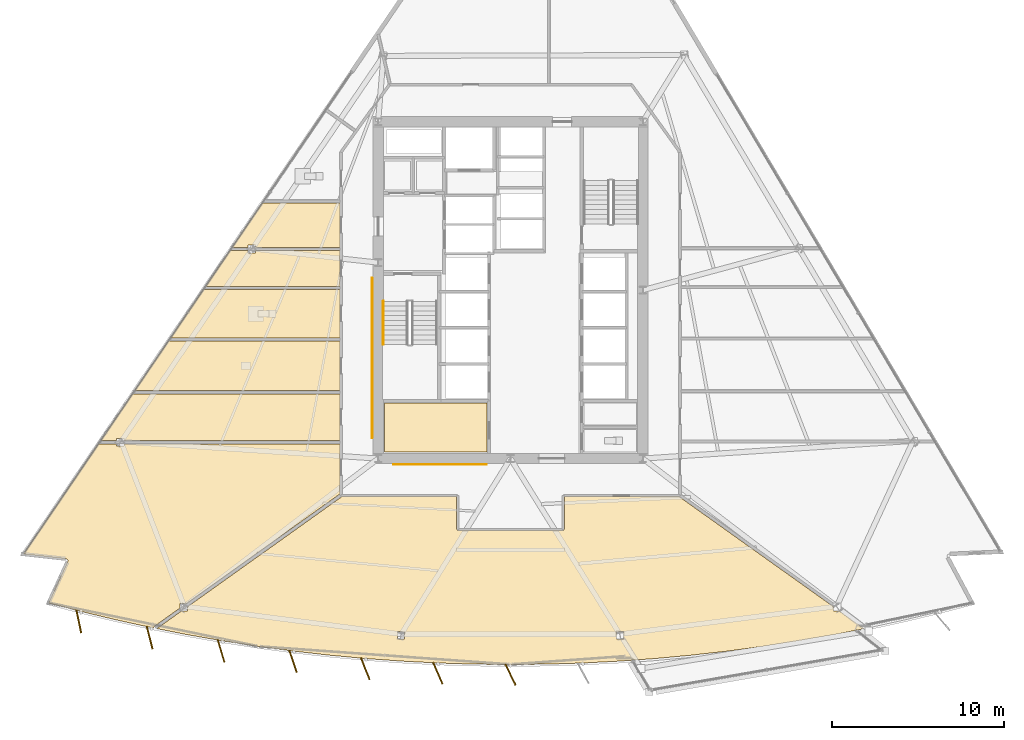
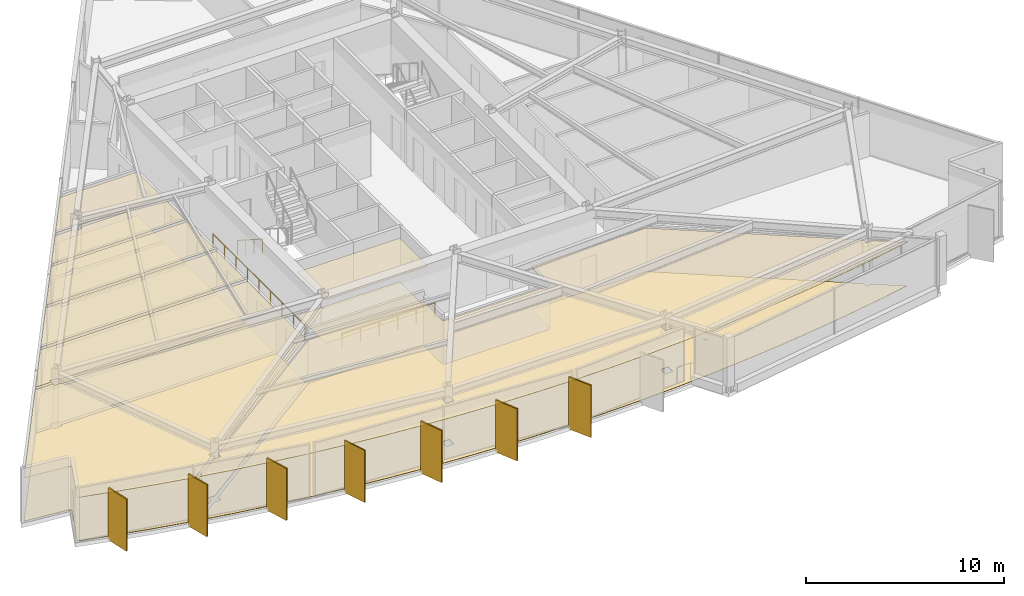
# One storey, part 11 of 15: 16 coverings, 7 shading devices, 3 railings.
"""IFC4 building model written with IfcOpenShell, lengths in metres."""

from ifc_helpers import new_model, si_unit, direction, frame, origin, origin_2d, place, context, subcontext, project, spatial, polyline, rectangle, circle, outline, extrude, material, layer, layer_set, type_object, element, save


model = new_model("IFC4")

# Units and contexts
model_context = context("Model", 3, precision=1e-05, world=origin(), true_north=direction((0.0, 1.0)))
body_context = subcontext(model_context, "Body", "Model", "MODEL_VIEW")
ifc_project = project(units=[si_unit("LENGTHUNIT", "METRE"), si_unit("AREAUNIT", "SQUARE_METRE"), si_unit("VOLUMEUNIT", "CUBIC_METRE"), si_unit("PLANEANGLEUNIT", "RADIAN"), si_unit("MASSUNIT", "GRAM", prefix="KILO")], contexts=[model_context])

# Site, building, storey
site_placement = place(None, origin())
site = spatial("IfcSite", under=ifc_project, at=site_placement, CompositionType="ELEMENT")
building_placement = place(site_placement, origin())
building = spatial("IfcBuilding", under=site, at=building_placement, Name="Savorim Split Tower", CompositionType="ELEMENT")
storey_placement = place(building_placement, frame((0.0, 0.0, 93.300048828125)))
storey = spatial("IfcBuildingStorey", under=building, at=storey_placement, Name="L24", CompositionType="ELEMENT", Elevation=93.300048828125)

# Coverings
ifc_material_1 = material(Name="Mineral Fibre Acoustic Ceiling")
ifc_layer_1 = layer(ifc_material_1, 0.02490234375)
ifc_layer_set_1 = layer_set([ifc_layer_1], Name="COV-CEIL-25")
covering_type_1 = type_object("IfcCoveringType", Name="COV-CEIL-25", PredefinedType="CEILING", material=ifc_layer_set_1)
covering_1_placement = place(storey_placement, frame((0.0, 0.0, 2.669921875)))
element("IfcCovering", 1, at=covering_1_placement, inside=storey, type_object=covering_type_1, Name="L24 Housekeeping Store Acoustic Ceiling", PredefinedType="CEILING", context=body_context, shape_type="SweptSolid", body=[
    extrude(outline(polyline([(-7.320068359375, -6.179931640625), (-7.320068359375, -9.02001953125), (-1.3798828125, -9.02001953125), (-1.3798828125, -6.179931640625), (-7.320068359375, -6.179931640625)])), origin(), (0.0, 0.0, 1.0), 0.025146484375),
])
covering_2_placement = place(storey_placement, frame((0.0, 0.0, 2.669921875)))
element("IfcCovering", 2, at=covering_2_placement, inside=storey, type_object=covering_type_1, Name="L24 Shared Bathroom Acoustic Ceiling", PredefinedType="CEILING", context=body_context, shape_type="SweptSolid", body=[
    extrude(outline(polyline([(-17.859619140625, 0.431640625), (-19.766845703125, -2.371826171875), (-9.919921875, -2.371826171875), (-9.919921875, 0.431640625), (-17.859619140625, 0.431640625)])), origin(), (0.0, 0.0, 1.0), 0.025146484375),
])
covering_3_placement = place(storey_placement, frame((0.0, 0.0, 2.669921875)))
element("IfcCovering", 3, at=covering_3_placement, inside=storey, type_object=covering_type_1, Name="L24 Shared Kitchen Acoustic Ceiling", PredefinedType="CEILING", context=body_context, shape_type="SweptSolid", body=[
    extrude(outline(polyline([(-19.89599609375, -2.56201171875), (-21.854736328125, -5.44091796875), (-9.919921875, -5.44091796875), (-9.919921875, -2.56201171875), (-19.89599609375, -2.56201171875)])), origin(), (0.0, 0.0, 1.0), 0.025146484375),
])
covering_4_placement = place(storey_placement, frame((0.0, 0.0, 2.669921875)))
element("IfcCovering", 4, at=covering_4_placement, inside=storey, type_object=covering_type_1, Name="L24 Co-Working Commons Acoustic Ceiling", PredefinedType="CEILING", context=body_context, shape_type="SweptSolid", body=[
    extrude(outline(polyline([(-22.48876953125, -8.231689453125), (-22.48876953125, -8.359130859375), (-9.919921875, -8.359130859375), (-9.919921875, -5.630859375), (-21.98388671875, -5.630859375), (-23.83984375, -8.359130859375), (-22.917724609375, -8.359130859375), (-22.917724609375, -8.231689453125), (-22.48876953125, -8.231689453125)])), origin(), (0.0, 0.0, 1.0), 0.025146484375),
])
covering_5_placement = place(storey_placement, frame((0.0, 0.0, 2.669921875)))
element("IfcCovering", 5, at=covering_5_placement, inside=storey, type_object=covering_type_1, Name="L24 Co-Working Commons Acoustic Ceiling", PredefinedType="CEILING", context=body_context, shape_type="SweptSolid", body=[
    extrude(outline(polyline([(-25.751953125, -15.339111328125), (-25.751708984375, -15.35107421875), (-25.752685546875, -15.36279296875), (-25.7548828125, -15.374755859375), (-25.758056640625, -15.385986328125), (-25.7626953125, -15.397216796875), (-26.867919921875, -17.80322265625), (-24.9716796875, -18.29931640625), (-22.927490234375, -18.789306640625), (-20.873779296875, -19.237548828125), (-20.745361328125, -19.2626953125), (-20.784423828125, -19.2080078125), (-19.224853515625, -18.095458984375), (-19.224853515625, -17.836669921875), (-18.862060546875, -17.836669921875), (-9.951416015625, -11.480224609375), (-9.919921875, -11.4580078125), (-9.919921875, -8.549072265625), (-22.48876953125, -8.549072265625), (-22.48876953125, -8.676513671875), (-22.917724609375, -8.676513671875), (-22.917724609375, -8.549072265625), (-23.843994140625, -8.549072265625), (-23.93896484375, -8.549072265625), (-23.93896484375, -8.5048828125), (-28.3251953125, -14.952392578125), (-25.8583984375, -15.227783203125), (-25.846435546875, -15.229736328125), (-25.8349609375, -15.23291015625), (-25.82373046875, -15.237060546875), (-25.81298828125, -15.2421875), (-25.802978515625, -15.248779296875), (-25.79345703125, -15.256103515625), (-25.784912109375, -15.26416015625), (-25.777099609375, -15.273193359375), (-25.770263671875, -15.282958984375), (-25.764404296875, -15.293212890625), (-25.759521484375, -15.30419921875), (-25.755859375, -15.315673828125), (-25.75341796875, -15.3271484375), (-25.751953125, -15.339111328125)])), origin(), (0.0, 0.0, 1.0), 0.025146484375),
])
covering_6_placement = place(storey_placement, frame((0.0, 0.0, 2.669921875)))
element("IfcCovering", 6, at=covering_6_placement, inside=storey, type_object=covering_type_1, Name="L24 Co-Working Commons Acoustic Ceiling", PredefinedType="CEILING", context=body_context, shape_type="SweptSolid", body=[
    extrude(outline(polyline([(12.58056640625, -20.607421875), (14.6640625, -20.32861328125), (16.7412109375, -20.00732421875), (18.8115234375, -19.6435546875), (20.579833984375, -19.29541015625), (19.15869140625, -18.281494140625), (18.7958984375, -18.281494140625), (18.7958984375, -18.022705078125), (9.841064453125, -11.635009765625), (9.81396484375, -11.615478515625), (9.807373046875, -11.6171875), (9.793701171875, -11.619384765625), (9.780029296875, -11.6201171875), (3.139892578125, -11.6201171875), (3.139892578125, -13.449951171875), (3.139404296875, -13.463623046875), (3.13720703125, -13.477294921875), (3.134033203125, -13.490478515625), (3.12939453125, -13.503662109375), (3.12353515625, -13.51611328125), (3.116455078125, -13.52783203125), (3.108154296875, -13.538818359375), (3.09912109375, -13.549072265625), (3.0888671875, -13.55810546875), (3.077880859375, -13.56640625), (3.06591796875, -13.573486328125), (3.0537109375, -13.579345703125), (3.04052734375, -13.583984375), (3.02734375, -13.58740234375), (3.013671875, -13.58935546875), (3.0, -13.590087890625), (-3.0, -13.590087890625), (-3.013671875, -13.58935546875), (-3.02734375, -13.58740234375), (-3.04052734375, -13.583984375), (-3.0537109375, -13.579345703125), (-3.06591796875, -13.573486328125), (-3.077880859375, -13.56640625), (-3.0888671875, -13.55810546875), (-3.09912109375, -13.549072265625), (-3.108154296875, -13.538818359375), (-3.116455078125, -13.52783203125), (-3.12353515625, -13.51611328125), (-3.12939453125, -13.503662109375), (-3.134033203125, -13.490478515625), (-3.13720703125, -13.477294921875), (-3.139404296875, -13.463623046875), (-3.139892578125, -13.449951171875), (-3.139892578125, -11.6201171875), (-9.780029296875, -11.6201171875), (-9.793701171875, -11.619384765625), (-9.807373046875, -11.6171875), (-9.81396484375, -11.615478515625), (-18.7958984375, -18.022705078125), (-18.7958984375, -18.281494140625), (-19.15869140625, -18.281494140625), (-20.579833984375, -19.29541015625), (-18.8115234375, -19.6435546875), (-16.7412109375, -20.00732421875), (-14.6640625, -20.32861328125), (-12.58056640625, -20.607421875), (-10.49169921875, -20.843505859375), (-8.398681640625, -21.036865234375), (-6.302001953125, -21.187255859375), (-4.202880859375, -21.294921875), (-2.101806640625, -21.359375), (0.0, -21.380859375), (2.101806640625, -21.359375), (4.202880859375, -21.294921875), (6.302001953125, -21.187255859375), (8.398681640625, -21.036865234375), (10.49169921875, -20.843505859375), (12.58056640625, -20.607421875)]), holes=[polyline([(-6.585693359375, -19.904296875), (-6.15673828125, -19.904296875), (-6.15673828125, -19.459228515625), (-6.585693359375, -19.459228515625), (-6.585693359375, -19.904296875)]), polyline([(6.15673828125, -19.904296875), (6.585693359375, -19.904296875), (6.585693359375, -19.459228515625), (6.15673828125, -19.459228515625), (6.15673828125, -19.904296875)])]), origin(), (0.0, 0.0, 1.0), 0.025146484375),
])
covering_7_placement = place(storey_placement, frame((0.0, 0.0, 2.669921875)))
element("IfcCovering", 7, at=covering_7_placement, inside=storey, type_object=covering_type_1, Name="L24 Maker Workshop Acoustic Ceiling", PredefinedType="CEILING", context=body_context, shape_type="SweptSolid", body=[
    extrude(outline(polyline([(-14.840087890625, 3.01171875), (-14.840087890625, 2.884033203125), (-9.919921875, 2.884033203125), (-9.919921875, 5.4716796875), (-14.43115234375, 5.4716796875), (-16.19140625, 2.884033203125), (-15.269287109375, 2.884033203125), (-15.269287109375, 3.01171875), (-14.840087890625, 3.01171875)])), origin(), (0.0, 0.0, 1.0), 0.025146484375),
])
covering_8_placement = place(storey_placement, frame((0.0, 0.0, 2.669921875)))
element("IfcCovering", 8, at=covering_8_placement, inside=storey, type_object=covering_type_1, Name="L24 Co-Living Bedroom Acoustic Ceiling", PredefinedType="CEILING", context=body_context, shape_type="SweptSolid", body=[
    extrude(outline(polyline([(-15.269287109375, 2.694091796875), (-16.195556640625, 2.694091796875), (-16.29052734375, 2.694091796875), (-16.29052734375, 2.73828125), (-17.73046875, 0.62158203125), (-9.919921875, 0.62158203125), (-9.919921875, 2.694091796875), (-14.840087890625, 2.694091796875), (-14.840087890625, 2.566650390625), (-15.269287109375, 2.566650390625), (-15.269287109375, 2.694091796875)])), origin(), (0.0, 0.0, 1.0), 0.025146484375),
])
ifc_material_2 = material(Name="Porcelain Stoneware Flooring", Category="masonry")
ifc_layer_2 = layer(ifc_material_2, 0.02001953125)
ifc_layer_set_2 = layer_set([ifc_layer_2], Name="COV-FLOR-20")
covering_type_2 = type_object("IfcCoveringType", Name="COV-FLOR-20", PredefinedType="FLOORING", material=ifc_layer_set_2)
covering_9_placement = place(storey_placement, origin())
element("IfcCovering", 9, at=covering_9_placement, inside=storey, type_object=covering_type_2, Name="L24 Housekeeping Store Porcelain Flooring", PredefinedType="FLOORING", context=body_context, shape_type="SweptSolid", body=[
    extrude(outline(polyline([(-7.320068359375, -6.179931640625), (-7.320068359375, -9.02001953125), (-1.3798828125, -9.02001953125), (-1.3798828125, -6.179931640625), (-7.320068359375, -6.179931640625)])), origin(), (0.0, 0.0, 1.0), 0.02001953125),
])
covering_10_placement = place(storey_placement, origin())
element("IfcCovering", 10, at=covering_10_placement, inside=storey, type_object=covering_type_2, Name="L24 Shared Bathroom Porcelain Flooring", PredefinedType="FLOORING", context=body_context, shape_type="SweptSolid", body=[
    extrude(outline(polyline([(-17.859619140625, 0.431640625), (-19.766845703125, -2.371826171875), (-9.919921875, -2.371826171875), (-9.919921875, 0.431640625), (-17.859619140625, 0.431640625)])), origin(), (0.0, 0.0, 1.0), 0.02001953125),
])
covering_11_placement = place(storey_placement, origin())
element("IfcCovering", 11, at=covering_11_placement, inside=storey, type_object=covering_type_2, Name="L24 Shared Kitchen Porcelain Flooring", PredefinedType="FLOORING", context=body_context, shape_type="SweptSolid", body=[
    extrude(outline(polyline([(-19.89599609375, -2.56201171875), (-21.854736328125, -5.44091796875), (-9.919921875, -5.44091796875), (-9.919921875, -2.56201171875), (-19.89599609375, -2.56201171875)])), origin(), (0.0, 0.0, 1.0), 0.02001953125),
])
covering_12_placement = place(storey_placement, origin())
element("IfcCovering", 12, at=covering_12_placement, inside=storey, type_object=covering_type_2, Name="L24 Co-Working Commons Porcelain Flooring", PredefinedType="FLOORING", context=body_context, shape_type="SweptSolid", body=[
    extrude(outline(polyline([(-22.48876953125, -8.231689453125), (-22.48876953125, -8.359130859375), (-9.919921875, -8.359130859375), (-9.919921875, -5.630859375), (-21.98388671875, -5.630859375), (-23.83984375, -8.359130859375), (-22.917724609375, -8.359130859375), (-22.917724609375, -8.231689453125), (-22.48876953125, -8.231689453125)])), origin(), (0.0, 0.0, 1.0), 0.02001953125),
])
covering_13_placement = place(storey_placement, origin())
element("IfcCovering", 13, at=covering_13_placement, inside=storey, type_object=covering_type_2, Name="L24 Co-Working Commons Porcelain Flooring", PredefinedType="FLOORING", context=body_context, shape_type="SweptSolid", body=[
    extrude(outline(polyline([(-25.751953125, -15.339111328125), (-25.751708984375, -15.35107421875), (-25.752685546875, -15.36279296875), (-25.7548828125, -15.374755859375), (-25.758056640625, -15.385986328125), (-25.7626953125, -15.397216796875), (-26.867919921875, -17.80322265625), (-24.9716796875, -18.29931640625), (-22.927490234375, -18.789306640625), (-20.873779296875, -19.237548828125), (-20.745361328125, -19.2626953125), (-20.784423828125, -19.2080078125), (-19.224853515625, -18.095458984375), (-19.224853515625, -17.836669921875), (-18.862060546875, -17.836669921875), (-9.951416015625, -11.480224609375), (-9.919921875, -11.4580078125), (-9.919921875, -8.549072265625), (-22.48876953125, -8.549072265625), (-22.48876953125, -8.676513671875), (-22.917724609375, -8.676513671875), (-22.917724609375, -8.549072265625), (-23.843994140625, -8.549072265625), (-23.93896484375, -8.549072265625), (-23.93896484375, -8.5048828125), (-28.3251953125, -14.952392578125), (-25.8583984375, -15.227783203125), (-25.846435546875, -15.229736328125), (-25.8349609375, -15.23291015625), (-25.82373046875, -15.237060546875), (-25.81298828125, -15.2421875), (-25.802978515625, -15.248779296875), (-25.79345703125, -15.256103515625), (-25.784912109375, -15.26416015625), (-25.777099609375, -15.273193359375), (-25.770263671875, -15.282958984375), (-25.764404296875, -15.293212890625), (-25.759521484375, -15.30419921875), (-25.755859375, -15.315673828125), (-25.75341796875, -15.3271484375), (-25.751953125, -15.339111328125)])), origin(), (0.0, 0.0, 1.0), 0.02001953125),
])
covering_14_placement = place(storey_placement, origin())
element("IfcCovering", 14, at=covering_14_placement, inside=storey, type_object=covering_type_2, Name="L24 Co-Working Commons Porcelain Flooring", PredefinedType="FLOORING", context=body_context, shape_type="SweptSolid", body=[
    extrude(outline(polyline([(12.58056640625, -20.607421875), (14.6640625, -20.32861328125), (16.7412109375, -20.00732421875), (18.8115234375, -19.6435546875), (20.579833984375, -19.29541015625), (19.15869140625, -18.281494140625), (18.7958984375, -18.281494140625), (18.7958984375, -18.022705078125), (9.841064453125, -11.635009765625), (9.81396484375, -11.615478515625), (9.807373046875, -11.6171875), (9.793701171875, -11.619384765625), (9.780029296875, -11.6201171875), (3.139892578125, -11.6201171875), (3.139892578125, -13.449951171875), (3.139404296875, -13.463623046875), (3.13720703125, -13.477294921875), (3.134033203125, -13.490478515625), (3.12939453125, -13.503662109375), (3.12353515625, -13.51611328125), (3.116455078125, -13.52783203125), (3.108154296875, -13.538818359375), (3.09912109375, -13.549072265625), (3.0888671875, -13.55810546875), (3.077880859375, -13.56640625), (3.06591796875, -13.573486328125), (3.0537109375, -13.579345703125), (3.04052734375, -13.583984375), (3.02734375, -13.58740234375), (3.013671875, -13.58935546875), (3.0, -13.590087890625), (-3.0, -13.590087890625), (-3.013671875, -13.58935546875), (-3.02734375, -13.58740234375), (-3.04052734375, -13.583984375), (-3.0537109375, -13.579345703125), (-3.06591796875, -13.573486328125), (-3.077880859375, -13.56640625), (-3.0888671875, -13.55810546875), (-3.09912109375, -13.549072265625), (-3.108154296875, -13.538818359375), (-3.116455078125, -13.52783203125), (-3.12353515625, -13.51611328125), (-3.12939453125, -13.503662109375), (-3.134033203125, -13.490478515625), (-3.13720703125, -13.477294921875), (-3.139404296875, -13.463623046875), (-3.139892578125, -13.449951171875), (-3.139892578125, -11.6201171875), (-9.780029296875, -11.6201171875), (-9.793701171875, -11.619384765625), (-9.807373046875, -11.6171875), (-9.81396484375, -11.615478515625), (-18.7958984375, -18.022705078125), (-18.7958984375, -18.281494140625), (-19.15869140625, -18.281494140625), (-20.579833984375, -19.29541015625), (-18.8115234375, -19.6435546875), (-16.7412109375, -20.00732421875), (-14.6640625, -20.32861328125), (-12.58056640625, -20.607421875), (-10.49169921875, -20.843505859375), (-8.398681640625, -21.036865234375), (-6.302001953125, -21.187255859375), (-4.202880859375, -21.294921875), (-2.101806640625, -21.359375), (0.0, -21.380859375), (2.101806640625, -21.359375), (4.202880859375, -21.294921875), (6.302001953125, -21.187255859375), (8.398681640625, -21.036865234375), (10.49169921875, -20.843505859375), (12.58056640625, -20.607421875)]), holes=[polyline([(-6.585693359375, -19.904296875), (-6.15673828125, -19.904296875), (-6.15673828125, -19.459228515625), (-6.585693359375, -19.459228515625), (-6.585693359375, -19.904296875)]), polyline([(6.15673828125, -19.904296875), (6.585693359375, -19.904296875), (6.585693359375, -19.459228515625), (6.15673828125, -19.459228515625), (6.15673828125, -19.904296875)])]), origin(), (0.0, 0.0, 1.0), 0.02001953125),
])
covering_15_placement = place(storey_placement, origin())
element("IfcCovering", 15, at=covering_15_placement, inside=storey, type_object=covering_type_2, Name="L24 Maker Workshop Porcelain Flooring", PredefinedType="FLOORING", context=body_context, shape_type="SweptSolid", body=[
    extrude(outline(polyline([(-14.840087890625, 3.01171875), (-14.840087890625, 2.884033203125), (-9.919921875, 2.884033203125), (-9.919921875, 5.4716796875), (-14.43115234375, 5.4716796875), (-16.19140625, 2.884033203125), (-15.269287109375, 2.884033203125), (-15.269287109375, 3.01171875), (-14.840087890625, 3.01171875)])), origin(), (0.0, 0.0, 1.0), 0.02001953125),
])
covering_16_placement = place(storey_placement, origin())
element("IfcCovering", 16, at=covering_16_placement, inside=storey, type_object=covering_type_2, Name="L24 Co-Living Bedroom Porcelain Flooring", PredefinedType="FLOORING", context=body_context, shape_type="SweptSolid", body=[
    extrude(outline(polyline([(-15.269287109375, 2.694091796875), (-16.195556640625, 2.694091796875), (-16.29052734375, 2.694091796875), (-16.29052734375, 2.73828125), (-17.73046875, 0.62158203125), (-9.919921875, 0.62158203125), (-9.919921875, 2.694091796875), (-14.840087890625, 2.694091796875), (-14.840087890625, 2.566650390625), (-15.269287109375, 2.566650390625), (-15.269287109375, 2.694091796875)])), origin(), (0.0, 0.0, 1.0), 0.02001953125),
])

# Railings
ifc_material_3 = material(Name="Galvanised Painted Steel Balustrade", Category="steel")
railing_type = type_object("IfcRailingType", Name="RLG-HR-900", PredefinedType="HANDRAIL", material=ifc_material_3)
railing_1_placement = place(storey_placement, frame((-7.39990234375, -0.25, 0.179931640625)))
element("IfcRailing", 17, at=railing_1_placement, inside=storey, type_object=railing_type, Name="L24 ST-1 stair handrail 1", PredefinedType="HANDRAIL", context=body_context, shape_type="SweptSolid", body=[
    extrude(circle(Radius=0.02392578125, at=origin_2d()), frame((0.0, 0.0, 0.8759765625), z_axis=(0.0, -0.841162588446, 0.540782303519), x_axis=(1.0, 0.0, 0.0)), (0.0, 0.0, 1.0), 2.995849609375),
    extrude(circle(Radius=0.02099609375, at=origin_2d()), origin(), (0.0, 0.0, 1.0), 0.851806640625),
    extrude(circle(Radius=0.02099609375, at=origin_2d()), frame((0.0, -0.840087890625, 0.5400390625)), (0.0, 0.0, 1.0), 0.851806640625),
    extrude(circle(Radius=0.02099609375, at=origin_2d()), frame((0.0, -1.679931640625, 1.080078125)), (0.0, 0.0, 1.0), 0.851806640625),
    extrude(circle(Radius=0.02099609375, at=origin_2d()), frame((0.0, -2.52001953125, 1.6201171875)), (0.0, 0.0, 1.0), 0.851806640625),
])
railing_2_placement = place(storey_placement, frame((-6.800048828125, -9.75, 0.0)))
element("IfcRailing", 18, at=railing_2_placement, inside=storey, type_object=railing_type, Name="L24 Corridor South Accessible Handrail", PredefinedType="HANDRAIL", context=body_context, shape_type="SweptSolid", body=[
    extrude(circle(Radius=0.02392578125, at=origin_2d()), frame((0.0, 0.0, 0.8759765625), z_axis=(1.0, 0.0, 0.0), x_axis=(0.0, 1.0, 0.0)), (0.0, 0.0, 1.0), 5.400146484375),
    extrude(circle(Radius=0.02099609375, at=origin_2d()), origin(), (0.0, 0.0, 1.0), 0.851806640625),
    extrude(circle(Radius=0.02099609375, at=origin_2d()), frame((1.080078125, 0.0, 0.0)), (0.0, 0.0, 1.0), 0.851806640625),
    extrude(circle(Radius=0.02099609375, at=origin_2d()), frame((2.16015625, 0.0, 0.0)), (0.0, 0.0, 1.0), 0.851806640625),
    extrude(circle(Radius=0.02099609375, at=origin_2d()), frame((3.239990234375, 0.0, 0.0)), (0.0, 0.0, 1.0), 0.851806640625),
    extrude(circle(Radius=0.02099609375, at=origin_2d()), frame((4.320068359375, 0.0, 0.0)), (0.0, 0.0, 1.0), 0.851806640625),
    extrude(circle(Radius=0.02099609375, at=origin_2d()), frame((5.400146484375, 0.0, 0.0)), (0.0, 0.0, 1.0), 0.851806640625),
])
railing_3_placement = place(storey_placement, frame((-8.050048828125, -8.199951171875, 0.0)))
element("IfcRailing", 19, at=railing_3_placement, inside=storey, type_object=railing_type, Name="L24 Corridor West Accessible Handrail", PredefinedType="HANDRAIL", context=body_context, shape_type="SweptSolid", body=[
    extrude(circle(Radius=0.02392578125, at=origin_2d()), frame((0.0, 0.0, 0.8759765625), z_axis=(0.0, 1.0, 0.0), x_axis=(-1.0, 0.0, 0.0)), (0.0, 0.0, 1.0), 9.300048828125),
    extrude(circle(Radius=0.02099609375, at=origin_2d()), origin(), (0.0, 0.0, 1.0), 0.851806640625),
    extrude(circle(Radius=0.02099609375, at=origin_2d()), frame((0.0, 1.16259765625, 0.0)), (0.0, 0.0, 1.0), 0.851806640625),
    extrude(circle(Radius=0.02099609375, at=origin_2d()), frame((0.0, 2.324951171875, 0.0)), (0.0, 0.0, 1.0), 0.851806640625),
    extrude(circle(Radius=0.02099609375, at=origin_2d()), frame((0.0, 3.487548828125, 0.0)), (0.0, 0.0, 1.0), 0.851806640625),
    extrude(circle(Radius=0.02099609375, at=origin_2d()), frame((0.0, 4.64990234375, 0.0)), (0.0, 0.0, 1.0), 0.851806640625),
    extrude(circle(Radius=0.02099609375, at=origin_2d()), frame((0.0, 5.8125, 0.0)), (0.0, 0.0, 1.0), 0.851806640625),
    extrude(circle(Radius=0.02099609375, at=origin_2d()), frame((0.0, 6.97509765625, 0.0)), (0.0, 0.0, 1.0), 0.851806640625),
    extrude(circle(Radius=0.02099609375, at=origin_2d()), frame((0.0, 8.137451171875, 0.0)), (0.0, 0.0, 1.0), 0.851806640625),
    extrude(circle(Radius=0.02099609375, at=origin_2d()), frame((0.0, 9.300048828125, 0.0)), (0.0, 0.0, 1.0), 0.851806640625),
])

# Shading devices
ifc_material_4 = material(Name="Terracotta Ceramic-Coated Aluminium Fin", Category="masonry")
shading_device_type = type_object("IfcShadingDeviceType", Name="SHD-FIN-1360", PredefinedType="USERDEFINED", material=ifc_material_4)
for number, where, z_axis, x_axis, name in (
    (20, (-25.116455078125, -18.87744140625, -0.2001953125), (0.0, 0.0, 1.0), (0.206721626106, -0.978399800337, 0.0), "L24 Sawtooth Shading Fin 01"),
    (21, (-20.9951171875, -19.821044921875, -0.2001953125), (0.0, 0.0, 1.0), (0.246581250663, -0.969122121727, 0.0), "L24 Sawtooth Shading Fin 02"),
    (22, (-16.83837890625, -20.595458984375, -0.2001953125), (0.0, 0.0, 1.0), (0.286026212504, -0.958221793616, 0.0), "L24 Sawtooth Shading Fin 03"),
    (23, (-12.653564453125, -21.198974609375, -0.2001953125), (0.0, 0.0, 1.0), (0.324993810493, -0.945716143005, 0.0), "L24 Sawtooth Shading Fin 04"),
    (24, (-8.447509765625, -21.630859375, -0.2001953125), (0.0, 0.0, 1.0), (0.363415461732, -0.931627179817, 0.0), "L24 Sawtooth Shading Fin 05"),
    (25, (-4.227294921875, -21.890380859375, -0.2001953125), (0.0, 0.0, 1.0), (0.401230091723, -0.915977299662, 0.0), "L24 Sawtooth Shading Fin 06"),
    (26, (0.0, -21.976806640625, -0.2001953125), (0.0, 0.0, 1.0), (0.438371146789, -0.898794046299, 0.0), "L24 Sawtooth Shading Fin 07"),
):
    element("IfcShadingDevice", number, at=place(storey_placement, frame(where, z_axis=z_axis, x_axis=x_axis)), inside=storey, type_object=shading_device_type, Name=name, ObjectType="FIN", PredefinedType="USERDEFINED", context=body_context, shape_type="SweptSolid", body=[
        extrude(rectangle(XDim=1.360107421875, YDim=0.080078125, at=origin_2d()), origin(), (0.0, 0.0, 1.0), 3.199951171875),
    ])

save(model, "model.ifc")
